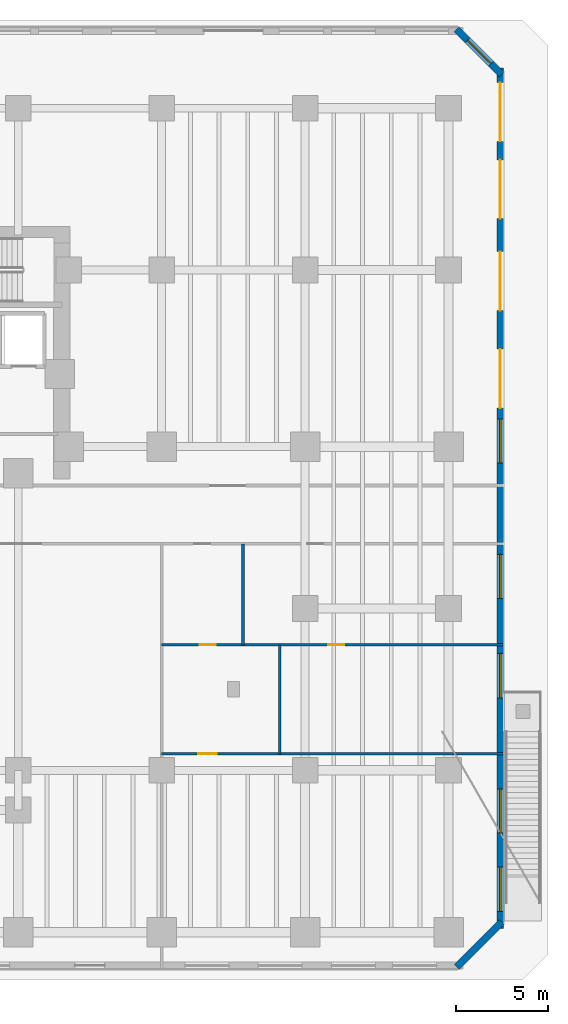
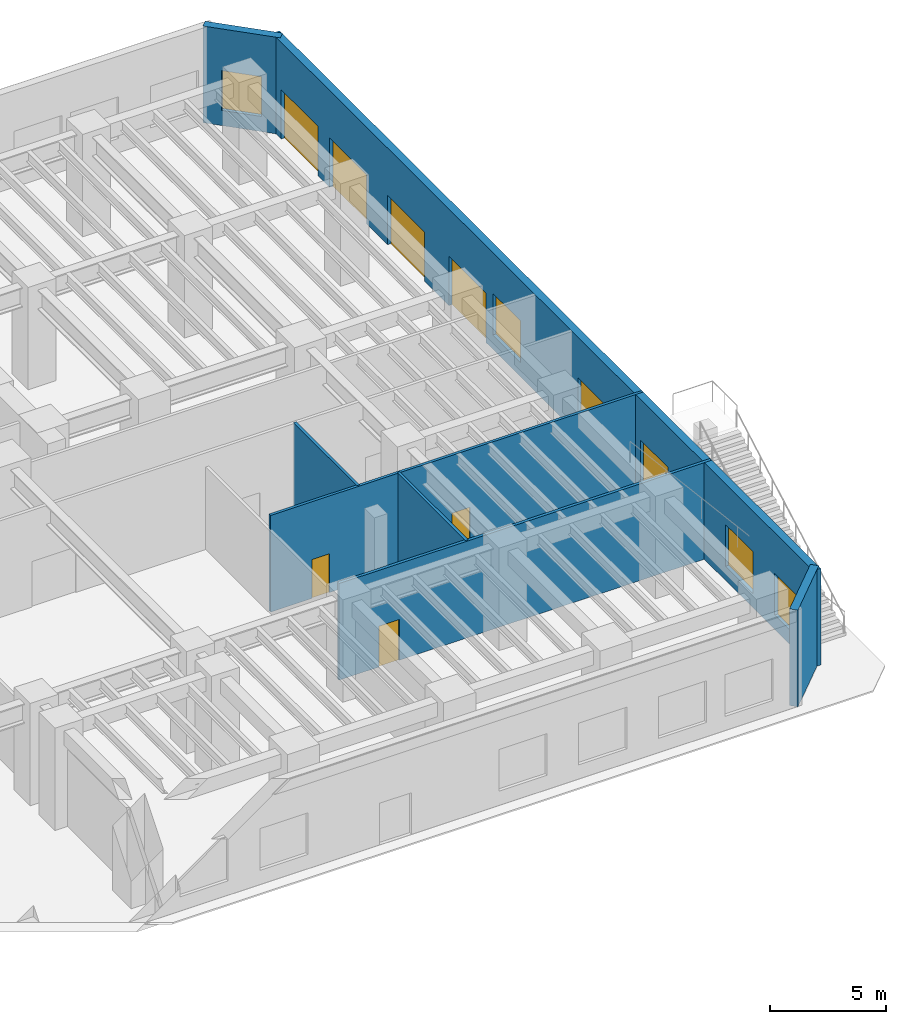
# One storey, part 11 of 17: 7 doors, 7 walls, 6 windows, 13 openings.
"""IFC4 building model written with IfcOpenShell, lengths in metres."""

import ifcopenshell
import ifcopenshell.guid

model = None  # the IFC model being written
_history = None  # IfcOwnerHistory: only IFC2X3 demands one
_inside = {}  # id of a spatial element -> (the spatial element, [elements in it])
_under = {}  # id of a project, library or spatial element -> (it, [spatial elements below it])
_declared = {}  # id of a project -> (the project, [libraries it declares])
_typed = {}  # id of a type object -> (the type object, [elements of that type])
_made_of = {}  # id of a material, layer set ... -> (it, [elements and type objects made of it])


def new_model(schema):
    """Start an empty IFC model of exactly this schema.

    Asked for "IFC4X3", IfcOpenShell would pick the latest addendum, in which some entities
    have other attributes; the version numbers below select the first issue.
    IFC2X3 requires an IfcOwnerHistory on every rooted entity: one is made here for all.
    """
    global model, _history
    if schema == "IFC4X3":
        model = ifcopenshell.file(schema_version=(4, 3, 0, 0))
    else:
        model = ifcopenshell.file(schema=schema)
    _inside.clear()
    _under.clear()
    _declared.clear()
    _typed.clear()
    _made_of.clear()
    _history = None
    if model.schema == "IFC2X3":
        org = make("IfcOrganization", Name="unknown")
        user = make(
            "IfcPersonAndOrganization",
            ThePerson=make("IfcPerson", FamilyName="unknown"),
            TheOrganization=org,
        )
        app = make(
            "IfcApplication",
            ApplicationDeveloper=org,
            Version="unknown",
            ApplicationFullName="unknown",
            ApplicationIdentifier="unknown",
        )
        _history = make(
            "IfcOwnerHistory",
            OwningUser=user,
            OwningApplication=app,
            ChangeAction="ADDED",
            CreationDate=0,
        )
    return model


def make(cls, **values):
    """One entity of the class cls with the attributes given. An attribute that is None is left unset."""
    return model.create_entity(
        cls, **{name: value for name, value in values.items() if value is not None}
    )


def rooted(cls, **values):
    """An entity with a GlobalId (a new one), such as an element, a storey or a relation."""
    return make(cls, GlobalId=ifcopenshell.guid.new(), OwnerHistory=_history, **values)


def si_unit(unit_type, name, prefix=None):
    """IfcSIUnit, for example si_unit("LENGTHUNIT", "METRE", prefix="MILLI")."""
    return make("IfcSIUnit", UnitType=unit_type, Prefix=prefix, Name=name)


def assignment(units):
    """IfcUnitAssignment: the units of a project."""
    return None if units is None else make("IfcUnitAssignment", Units=units)


def point(xyz):
    """IfcCartesianPoint."""
    return None if xyz is None else make("IfcCartesianPoint", Coordinates=xyz)


def direction(xyz):
    """IfcDirection."""
    return None if xyz is None else make("IfcDirection", DirectionRatios=xyz)


def frame(location, z_axis=None, x_axis=None):
    """IfcAxis2Placement3D, a coordinate frame: its origin and axes. An axis left out is left unset."""
    return make(
        "IfcAxis2Placement3D",
        Location=point(location),
        Axis=direction(z_axis),
        RefDirection=direction(x_axis),
    )


def frame_2d(location, x_axis=None):
    """IfcAxis2Placement2D, a coordinate frame in the plane: its origin and x axis."""
    return make(
        "IfcAxis2Placement2D", Location=point(location), RefDirection=direction(x_axis)
    )


def origin():
    """The frame at (0, 0, 0) with its axes left unset."""
    return frame((0.0, 0.0, 0.0))


def place(relative_to, where):
    """IfcLocalPlacement: puts the frame where relative to a parent placement (None: the world)."""
    return make(
        "IfcLocalPlacement", PlacementRelTo=relative_to, RelativePlacement=where
    )


def context(
    kind, dimensions, precision=None, world=None, true_north=None, identifier=None
):
    """IfcGeometricRepresentationContext, for example the 3D "Model" context."""
    return make(
        "IfcGeometricRepresentationContext",
        ContextIdentifier=identifier,
        ContextType=kind,
        CoordinateSpaceDimension=dimensions,
        Precision=precision,
        WorldCoordinateSystem=world,
        TrueNorth=true_north,
    )


def subcontext(parent, identifier, kind, view, scale=None):
    """IfcGeometricRepresentationSubContext, for example "Body" below "Model"."""
    return make(
        "IfcGeometricRepresentationSubContext",
        ContextIdentifier=identifier,
        ContextType=kind,
        ParentContext=parent,
        TargetScale=scale,
        TargetView=view,
    )


def project(units=None, contexts=None):
    """IfcProject with its units and contexts."""
    return rooted(
        "IfcProject",
        Name="project",
        RepresentationContexts=contexts,
        UnitsInContext=assignment(units),
    )


def spatial(cls, under=None, at=None, **own):
    """A site, building, storey or space (cls), placed at a placement, below another one or the project."""
    s = rooted(cls, ObjectPlacement=at, **own)
    if under is not None:
        _under.setdefault(under.id(), (under, []))[1].append(s)
    return s


def profile(cls, at=None, kind="AREA", **sizes):
    """A parametric profile (cls). Its sizes go by their IFC names, for example OverallWidth=200.0."""
    return make(cls, ProfileType=kind, Position=at, **sizes)


def rectangle(**sizes):
    """IfcRectangleProfileDef."""
    return profile("IfcRectangleProfileDef", **sizes)


def extrude(swept, where, along, depth):
    """IfcExtrudedAreaSolid: the profile swept, set in the frame where, extruded along a direction by depth."""
    return make(
        "IfcExtrudedAreaSolid",
        SweptArea=swept,
        Position=where,
        ExtrudedDirection=direction(along),
        Depth=depth,
    )


def shape(context_of_items, identifier, shape_type, items):
    """IfcShapeRepresentation: the items that make up one representation, for example the "Body"."""
    return make(
        "IfcShapeRepresentation",
        ContextOfItems=context_of_items,
        RepresentationIdentifier=identifier,
        RepresentationType=shape_type,
        Items=items,
    )


def material(Name=None, Category=None):
    """IfcMaterial."""
    return make("IfcMaterial", Name=Name, Category=Category)


def layer(
    of_material, thickness, ventilated=None, Name=None, Category=None, Priority=None
):
    """IfcMaterialLayer: one layer of a wall or slab, of a material (None: an air gap)."""
    return make(
        "IfcMaterialLayer",
        Material=of_material,
        LayerThickness=thickness,
        IsVentilated=ventilated,
        Name=Name,
        Category=Category,
        Priority=Priority,
    )


def layer_set(layers, Name=None):
    """IfcMaterialLayerSet."""
    return make("IfcMaterialLayerSet", MaterialLayers=layers, LayerSetName=Name)


def made_of(thing, what):
    """Note that an element or type object is made of a material, layer set ...; save() writes the relation."""
    if what is not None:
        _made_of.setdefault(what.id(), (what, []))[1].append(thing)
    return thing


def type_object(cls, material=None, **own):
    """A type object (cls), such as IfcWallType, which elements share."""
    return made_of(rooted(cls, **own), material)


def element(
    cls,
    number,
    at=None,
    inside=None,
    cuts=None,
    type_object=None,
    material=None,
    context=None,
    identifier="Body",
    shape_type=None,
    held_by="IfcProductDefinitionShape",
    body=None,
    shapes=None,
    **own,
):
    """One element of the class cls, such as IfcWall. Its Tag is "e" and its number.

    at: its placement. inside: the storey or other place that contains it. cuts: it is an
    opening in that element (IfcRelVoidsElement). A single representation is given by context,
    identifier, shape_type and body (its items); several are given by shapes. held_by: the class
    of the entity that holds the representations. save() writes the other relations.
    """
    e = rooted(cls, Tag="e%d" % number, ObjectPlacement=at, **own)
    if body is not None:
        shapes = [shape(context, identifier, shape_type, body)]
    if shapes is not None:
        e.Representation = make(held_by, Representations=shapes)
    if inside is not None:
        _inside.setdefault(inside.id(), (inside, []))[1].append(e)
    if cuts is not None:
        rooted(
            "IfcRelVoidsElement", RelatingBuildingElement=cuts, RelatedOpeningElement=e
        )
    if type_object is not None:
        _typed.setdefault(type_object.id(), (type_object, []))[1].append(e)
    return made_of(e, material)


def fill(opening, filler):
    """IfcRelFillsElement: the door or window that sits in an opening."""
    return rooted(
        "IfcRelFillsElement",
        RelatingOpeningElement=opening,
        RelatedBuildingElement=filler,
    )


def aggregate(whole, parts):
    """IfcRelAggregates: a whole, such as a stair, and the parts it consists of."""
    return rooted("IfcRelAggregates", RelatingObject=whole, RelatedObjects=parts)


def save(model, path):
    """Write the relations noted so far, then the file.

    IfcRelAggregates (storeys below a building ...), IfcRelContainedInSpatialStructure (elements
    in a storey), IfcRelDefinesByType, IfcRelAssociatesMaterial and IfcRelDeclares: one each for
    every whole, place, type object, material and project.
    """
    for whole, parts in _under.values():
        aggregate(whole, parts)
    for where, things in _inside.values():
        rooted(
            "IfcRelContainedInSpatialStructure",
            RelatedElements=things,
            RelatingStructure=where,
        )
    for kind, things in _typed.values():
        rooted("IfcRelDefinesByType", RelatedObjects=things, RelatingType=kind)
    for what, things in _made_of.values():
        rooted("IfcRelAssociatesMaterial", RelatedObjects=things, RelatingMaterial=what)
    for by, libraries in _declared.values():
        rooted("IfcRelDeclares", RelatingContext=by, RelatedDefinitions=libraries)
    model.write(path)


model = new_model("IFC4")

# Units and contexts
model_context = context("Model", 3, precision=1e-05, world=origin(), true_north=direction((0.0, 1.0)))
body_context = subcontext(model_context, "Body", "Model", "MODEL_VIEW")
ifc_project = project(units=[si_unit("LENGTHUNIT", "METRE"), si_unit("AREAUNIT", "SQUARE_METRE"), si_unit("VOLUMEUNIT", "CUBIC_METRE"), si_unit("PLANEANGLEUNIT", "RADIAN"), si_unit("MASSUNIT", "GRAM", prefix="KILO")], contexts=[model_context])

# Site, building, storey
site_placement = place(None, origin())
site = spatial("IfcSite", under=ifc_project, at=site_placement, CompositionType="ELEMENT")
building_placement = place(site_placement, origin())
building = spatial("IfcBuilding", under=site, at=building_placement, Name="Kestravale Grand Hotel", CompositionType="ELEMENT")
storey_placement = place(building_placement, origin())
storey = spatial("IfcBuildingStorey", under=building, at=storey_placement, Name="L00", CompositionType="ELEMENT", Elevation=0.0)

# Wall
ifc_material_1 = material(Name="Precast concrete f'c 45 MPa", Category="concrete")
ifc_layer_1 = layer(ifc_material_1, 0.3798828125)
ifc_layer_set_1 = layer_set([ifc_layer_1], Name="EW-POD-380")
wall_type_1 = type_object("IfcWallType", Name="EW-POD-380", PredefinedType="SOLIDWALL", material=ifc_layer_set_1)
wall_1_placement = place(storey_placement, frame((80.893798828125, 2.962646484375, 0.0), z_axis=(0.0, 0.0, 1.0), x_axis=(-0.707071641081, -0.707141919546, 0.0)))
element("IfcWall", 1, at=wall_1_placement, inside=storey, type_object=wall_type_1, Name="L00 fluted precast facade wall 2", PredefinedType="SOLIDWALL", context=body_context, shape_type="SweptSolid", body=[
    extrude(rectangle(XDim=3.473876953125, YDim=0.3798828125, at=frame_2d((1.73681640625, 0.0))), origin(), (0.0, 0.0, 1.0), 5.10009765625),
])

# Wall, openings, doors, windows
wall_2_placement = place(storey_placement, frame((80.81005859375, 49.389892578125, 0.0), z_axis=(0.0, 0.0, 1.0), x_axis=(0.0, -1.0, 0.0)))
wall_2 = element("IfcWall", 2, at=wall_2_placement, inside=storey, type_object=wall_type_1, Name="L00 fluted precast facade wall 3", PredefinedType="SOLIDWALL", context=body_context, shape_type="SweptSolid", body=[
    extrude(rectangle(XDim=46.77978515625, YDim=0.3798828125, at=frame_2d((23.389892578125, 0.0))), origin(), (0.0, 0.0, 1.0), 5.10009765625),
])
opening_1_placement = place(wall_2_placement, frame((15.2900390625, 0.0, 0.0)))
opening_1 = element("IfcOpeningElement", 3, at=opening_1_placement, cuts=wall_2, Name="Opening D-GATE-3200", PredefinedType="OPENING", context=body_context, shape_type="SweptSolid", body=[
    extrude(rectangle(XDim=3.199951171875, YDim=2.60009765625, at=frame_2d((1.60009765625, 1.300048828125))), frame((0.0, 0.199951171875, 0.0), z_axis=(0.0, -1.0, 0.0), x_axis=(1.0, 0.0, 0.0)), (0.0, 0.0, 1.0), 0.39990234375),
])
opening_2_placement = place(wall_2_placement, frame((9.989990234375, 0.0, 0.0)))
opening_2 = element("IfcOpeningElement", 4, at=opening_2_placement, cuts=wall_2, Name="Opening D-GATE-3200", PredefinedType="OPENING", context=body_context, shape_type="SweptSolid", body=[
    extrude(rectangle(XDim=3.199951171875, YDim=2.60009765625, at=frame_2d((1.60009765625, 1.300048828125))), frame((0.0, 0.199951171875, 0.0), z_axis=(0.0, -1.0, 0.0), x_axis=(1.0, 0.0, 0.0)), (0.0, 0.0, 1.0), 0.39990234375),
])
opening_3_placement = place(wall_2_placement, frame((4.989990234375, 0.0, 0.0)))
opening_3 = element("IfcOpeningElement", 5, at=opening_3_placement, cuts=wall_2, Name="Opening D-GATE-3200", PredefinedType="OPENING", context=body_context, shape_type="SweptSolid", body=[
    extrude(rectangle(XDim=3.199951171875, YDim=2.60009765625, at=frame_2d((1.60009765625, 1.300048828125))), frame((0.0, 0.199951171875, 0.0), z_axis=(0.0, -1.0, 0.0), x_axis=(1.0, 0.0, 0.0)), (0.0, 0.0, 1.0), 0.39990234375),
])
opening_4_placement = place(wall_2_placement, frame((0.7900390625, 0.0, 0.0)))
opening_4 = element("IfcOpeningElement", 6, at=opening_4_placement, cuts=wall_2, Name="Opening D-GATE-3200", PredefinedType="OPENING", context=body_context, shape_type="SweptSolid", body=[
    extrude(rectangle(XDim=3.199951171875, YDim=2.60009765625, at=frame_2d((1.60009765625, 1.300048828125))), frame((0.0, 0.199951171875, 0.0), z_axis=(0.0, -1.0, 0.0), x_axis=(1.0, 0.0, 0.0)), (0.0, 0.0, 1.0), 0.39990234375),
])
opening_5_placement = place(wall_2_placement, frame((19.08740234375, 0.0, 0.75)))
opening_5 = element("IfcOpeningElement", 7, at=opening_5_placement, cuts=wall_2, Name="Opening W-POD-2400", PredefinedType="OPENING", context=body_context, shape_type="SweptSolid", body=[
    extrude(rectangle(XDim=2.39990234375, YDim=2.199951171875, at=frame_2d((1.199951171875, 1.10009765625))), frame((0.0, 0.199951171875, 0.0), z_axis=(0.0, -1.0, 0.0), x_axis=(1.0, 0.0, 0.0)), (0.0, 0.0, 1.0), 0.39990234375),
])
opening_6_placement = place(wall_2_placement, frame((26.442626953125, 0.0, 0.75)))
opening_6 = element("IfcOpeningElement", 8, at=opening_6_placement, cuts=wall_2, Name="Opening W-POD-2400", PredefinedType="OPENING", context=body_context, shape_type="SweptSolid", body=[
    extrude(rectangle(XDim=2.39990234375, YDim=2.199951171875, at=frame_2d((1.199951171875, 1.10009765625))), frame((0.0, 0.199951171875, 0.0), z_axis=(0.0, -1.0, 0.0), x_axis=(1.0, 0.0, 0.0)), (0.0, 0.0, 1.0), 0.39990234375),
])
opening_7_placement = place(wall_2_placement, frame((31.845458984375, 0.0, 0.75)))
opening_7 = element("IfcOpeningElement", 9, at=opening_7_placement, cuts=wall_2, Name="Opening W-POD-2400", PredefinedType="OPENING", context=body_context, shape_type="SweptSolid", body=[
    extrude(rectangle(XDim=2.39990234375, YDim=2.199951171875, at=frame_2d((1.199951171875, 1.10009765625))), frame((0.0, 0.199951171875, 0.0), z_axis=(0.0, -1.0, 0.0), x_axis=(1.0, 0.0, 0.0)), (0.0, 0.0, 1.0), 0.39990234375),
])
opening_8_placement = place(wall_2_placement, frame((39.200927734375, 0.0, 0.75)))
opening_8 = element("IfcOpeningElement", 10, at=opening_8_placement, cuts=wall_2, Name="Opening W-POD-2400", PredefinedType="OPENING", context=body_context, shape_type="SweptSolid", body=[
    extrude(rectangle(XDim=2.39990234375, YDim=2.199951171875, at=frame_2d((1.199951171875, 1.10009765625))), frame((0.0, 0.199951171875, 0.0), z_axis=(0.0, -1.0, 0.0), x_axis=(1.0, 0.0, 0.0)), (0.0, 0.0, 1.0), 0.39990234375),
])
opening_9_placement = place(wall_2_placement, frame((43.45361328125, 0.0, 0.75)))
opening_9 = element("IfcOpeningElement", 11, at=opening_9_placement, cuts=wall_2, Name="Opening W-POD-2400", PredefinedType="OPENING", context=body_context, shape_type="SweptSolid", body=[
    extrude(rectangle(XDim=2.39990234375, YDim=2.199951171875, at=frame_2d((1.199951171875, 1.10009765625))), frame((0.0, 0.199951171875, 0.0), z_axis=(0.0, -1.0, 0.0), x_axis=(1.0, 0.0, 0.0)), (0.0, 0.0, 1.0), 0.39990234375),
])
ifc_material_2 = material(Name="Galvanised insulated hollow steel door", Category="steel")
door_type_1 = type_object("IfcDoorType", Name="D-GATE-3200", OperationType="NOTDEFINED", PredefinedType="GATE", material=ifc_material_2)
door_1_placement = place(opening_1_placement, origin())
door_1 = element("IfcDoor", 12, at=door_1_placement, inside=storey, type_object=door_type_1, Name="Service Loading Bay Gate 2", OperationType="DOUBLE_DOOR_FOLDING", OverallHeight=2.60009765625, OverallWidth=3.199951171875, PredefinedType="GATE", context=body_context, shape_type="SweptSolid", body=[
    extrude(rectangle(XDim=3.199951171875, YDim=2.60009765625, at=frame_2d((1.60009765625, 1.300048828125))), frame((0.0, 0.02490234375, 0.0), z_axis=(0.0, -1.0, 0.0), x_axis=(1.0, 0.0, 0.0)), (0.0, 0.0, 1.0), 0.050048828125),
])
fill(opening_1, door_1)
door_2_placement = place(opening_2_placement, origin())
door_2 = element("IfcDoor", 13, at=door_2_placement, inside=storey, type_object=door_type_1, Name="Service Loading Bay Gate 3", OperationType="DOUBLE_DOOR_FOLDING", OverallHeight=2.60009765625, OverallWidth=3.199951171875, PredefinedType="GATE", context=body_context, shape_type="SweptSolid", body=[
    extrude(rectangle(XDim=3.199951171875, YDim=2.60009765625, at=frame_2d((1.60009765625, 1.300048828125))), frame((0.0, 0.02490234375, 0.0), z_axis=(0.0, -1.0, 0.0), x_axis=(1.0, 0.0, 0.0)), (0.0, 0.0, 1.0), 0.050048828125),
])
fill(opening_2, door_2)
door_3_placement = place(opening_3_placement, origin())
door_3 = element("IfcDoor", 14, at=door_3_placement, inside=storey, type_object=door_type_1, Name="Service Loading Bay Gate 4", OperationType="DOUBLE_DOOR_FOLDING", OverallHeight=2.60009765625, OverallWidth=3.199951171875, PredefinedType="GATE", context=body_context, shape_type="SweptSolid", body=[
    extrude(rectangle(XDim=3.199951171875, YDim=2.60009765625, at=frame_2d((1.60009765625, 1.300048828125))), frame((0.0, 0.02490234375, 0.0), z_axis=(0.0, -1.0, 0.0), x_axis=(1.0, 0.0, 0.0)), (0.0, 0.0, 1.0), 0.050048828125),
])
fill(opening_3, door_3)
door_4_placement = place(opening_4_placement, origin())
door_4 = element("IfcDoor", 15, at=door_4_placement, inside=storey, type_object=door_type_1, Name="Service Loading Bay Gate 5", OperationType="DOUBLE_DOOR_FOLDING", OverallHeight=2.60009765625, OverallWidth=3.199951171875, PredefinedType="GATE", context=body_context, shape_type="SweptSolid", body=[
    extrude(rectangle(XDim=3.199951171875, YDim=2.60009765625, at=frame_2d((1.60009765625, 1.300048828125))), frame((0.0, 0.02490234375, 0.0), z_axis=(0.0, -1.0, 0.0), x_axis=(1.0, 0.0, 0.0)), (0.0, 0.0, 1.0), 0.050048828125),
])
fill(opening_4, door_4)
ifc_material_3 = material(Name="Insulated low-E double glazing in aluminium frame", Category="aluminium")
window_type_1 = type_object("IfcWindowType", Name="W-POD-2400", PartitioningType="DOUBLE_PANEL_VERTICAL", PredefinedType="WINDOW", material=ifc_material_3)
window_1_placement = place(opening_5_placement, origin())
window_1 = element("IfcWindow", 16, at=window_1_placement, inside=storey, type_object=window_type_1, Name="L00 exterior window 3.1", OverallHeight=2.199951171875, OverallWidth=2.39990234375, PartitioningType="SINGLE_PANEL", PredefinedType="WINDOW", context=body_context, shape_type="SweptSolid", body=[
    extrude(rectangle(XDim=2.39990234375, YDim=2.199951171875, at=frame_2d((1.199951171875, 1.10009765625))), frame((0.0, 0.030029296875, 0.0), z_axis=(0.0, -1.0, 0.0), x_axis=(1.0, 0.0, 0.0)), (0.0, 0.0, 1.0), 0.06005859375),
])
fill(opening_5, window_1)
window_2_placement = place(opening_6_placement, origin())
window_2 = element("IfcWindow", 17, at=window_2_placement, inside=storey, type_object=window_type_1, Name="L00 exterior window 3.2", OverallHeight=2.199951171875, OverallWidth=2.39990234375, PartitioningType="SINGLE_PANEL", PredefinedType="WINDOW", context=body_context, shape_type="SweptSolid", body=[
    extrude(rectangle(XDim=2.39990234375, YDim=2.199951171875, at=frame_2d((1.199951171875, 1.10009765625))), frame((0.0, 0.030029296875, 0.0), z_axis=(0.0, -1.0, 0.0), x_axis=(1.0, 0.0, 0.0)), (0.0, 0.0, 1.0), 0.06005859375),
])
fill(opening_6, window_2)
window_3_placement = place(opening_7_placement, origin())
window_3 = element("IfcWindow", 18, at=window_3_placement, inside=storey, type_object=window_type_1, Name="L00 exterior window 3.3", OverallHeight=2.199951171875, OverallWidth=2.39990234375, PartitioningType="SINGLE_PANEL", PredefinedType="WINDOW", context=body_context, shape_type="SweptSolid", body=[
    extrude(rectangle(XDim=2.39990234375, YDim=2.199951171875, at=frame_2d((1.199951171875, 1.10009765625))), frame((0.0, 0.030029296875, 0.0), z_axis=(0.0, -1.0, 0.0), x_axis=(1.0, 0.0, 0.0)), (0.0, 0.0, 1.0), 0.06005859375),
])
fill(opening_7, window_3)
window_4_placement = place(opening_8_placement, origin())
window_4 = element("IfcWindow", 19, at=window_4_placement, inside=storey, type_object=window_type_1, Name="L00 exterior window 3.4", OverallHeight=2.199951171875, OverallWidth=2.39990234375, PartitioningType="SINGLE_PANEL", PredefinedType="WINDOW", context=body_context, shape_type="SweptSolid", body=[
    extrude(rectangle(XDim=2.39990234375, YDim=2.199951171875, at=frame_2d((1.199951171875, 1.10009765625))), frame((0.0, 0.030029296875, 0.0), z_axis=(0.0, -1.0, 0.0), x_axis=(1.0, 0.0, 0.0)), (0.0, 0.0, 1.0), 0.06005859375),
])
fill(opening_8, window_4)
window_5_placement = place(opening_9_placement, origin())
window_5 = element("IfcWindow", 20, at=window_5_placement, inside=storey, type_object=window_type_1, Name="L00 exterior window 3.5", OverallHeight=2.199951171875, OverallWidth=2.39990234375, PartitioningType="SINGLE_PANEL", PredefinedType="WINDOW", context=body_context, shape_type="SweptSolid", body=[
    extrude(rectangle(XDim=2.39990234375, YDim=2.199951171875, at=frame_2d((1.199951171875, 1.10009765625))), frame((0.0, 0.030029296875, 0.0), z_axis=(0.0, -1.0, 0.0), x_axis=(1.0, 0.0, 0.0)), (0.0, 0.0, 1.0), 0.06005859375),
])
fill(opening_9, window_5)

# Wall, opening, window
wall_3_placement = place(storey_placement, frame((78.4375, 51.493896484375, 0.0), z_axis=(0.0, 0.0, 1.0), x_axis=(0.707071641081, -0.707141919546, 0.0)))
wall_3 = element("IfcWall", 21, at=wall_3_placement, inside=storey, type_object=wall_type_1, Name="L00 fluted precast facade wall 4", PredefinedType="SOLIDWALL", context=body_context, shape_type="SweptSolid", body=[
    extrude(rectangle(XDim=3.473876953125, YDim=0.3798828125, at=frame_2d((1.73681640625, 0.0))), origin(), (0.0, 0.0, 1.0), 5.10009765625),
])
opening_10_placement = place(wall_3_placement, frame((0.8369140625, 0.0, 0.800048828125)))
opening_10 = element("IfcOpeningElement", 22, at=opening_10_placement, cuts=wall_3, Name="Opening W-POD-1800", PredefinedType="OPENING", context=body_context, shape_type="SweptSolid", body=[
    extrude(rectangle(XDim=1.800048828125, YDim=2.10009765625, at=frame_2d((0.89990234375, 1.050048828125))), frame((0.0, 0.199951171875, 0.0), z_axis=(0.0, -1.0, 0.0), x_axis=(1.0, 0.0, 0.0)), (0.0, 0.0, 1.0), 0.39990234375),
])
ifc_material_4 = material(Name="Insulated low-E double glazing in aluminium frame", Category="aluminium")
window_type_2 = type_object("IfcWindowType", Name="W-POD-1800", PartitioningType="DOUBLE_PANEL_VERTICAL", PredefinedType="WINDOW", material=ifc_material_4)
window_6_placement = place(opening_10_placement, origin())
window_6 = element("IfcWindow", 23, at=window_6_placement, inside=storey, type_object=window_type_2, Name="L00 exterior window 4.1", OverallHeight=2.10009765625, OverallWidth=1.800048828125, PartitioningType="SINGLE_PANEL", PredefinedType="WINDOW", context=body_context, shape_type="SweptSolid", body=[
    extrude(rectangle(XDim=1.800048828125, YDim=2.10009765625, at=frame_2d((0.89990234375, 1.050048828125))), frame((0.0, 0.030029296875, 0.0), z_axis=(0.0, -1.0, 0.0), x_axis=(1.0, 0.0, 0.0)), (0.0, 0.0, 1.0), 0.06005859375),
])
fill(opening_10, window_6)

# Wall, openings, doors
ifc_material_5 = material(Name="Moisture-resistant tile-backer plumbing chase wall", Category="other")
ifc_layer_2 = layer(ifc_material_5, 0.139892578125)
ifc_layer_set_2 = layer_set([ifc_layer_2], Name="IW-PLB-140")
wall_type_2 = type_object("IfcWallType", Name="IW-PLB-140", PredefinedType="PLUMBINGWALL", material=ifc_layer_set_2)
wall_4_placement = place(storey_placement, frame((62.39990234375, 18.02001953125, 0.0), z_axis=(0.0, 0.0, 1.0), x_axis=(1.0, 0.0, 0.0)))
wall_4 = element("IfcWall", 24, at=wall_4_placement, inside=storey, type_object=wall_type_2, Name="W-L00-WCH", PredefinedType="PLUMBINGWALL", context=body_context, shape_type="SweptSolid", body=[
    extrude(rectangle(XDim=18.580078125, YDim=0.139892578125, at=frame_2d((9.2900390625, 0.0))), origin(), (0.0, 0.0, 1.0), 5.10009765625),
])
opening_11_placement = place(wall_4_placement, frame((2.06005859375, 0.0, 0.0)))
opening_11 = element("IfcOpeningElement", 25, at=opening_11_placement, cuts=wall_4, Name="Opening D-BATH-880", PredefinedType="OPENING", context=body_context, shape_type="SweptSolid", body=[
    extrude(rectangle(XDim=0.8798828125, YDim=2.050048828125, at=frame_2d((0.43994140625, 1.02490234375))), frame((0.0, 0.079833984375, 0.0), z_axis=(0.0, -1.0, 0.0), x_axis=(1.0, 0.0, 0.0)), (0.0, 0.0, 1.0), 0.159912109375),
])
opening_12_placement = place(wall_4_placement, frame((9.06005859375, 0.0, 0.0)))
opening_12 = element("IfcOpeningElement", 26, at=opening_12_placement, cuts=wall_4, Name="Opening D-BATH-880", PredefinedType="OPENING", context=body_context, shape_type="SweptSolid", body=[
    extrude(rectangle(XDim=0.8798828125, YDim=2.050048828125, at=frame_2d((0.43994140625, 1.02490234375))), frame((0.0, 0.079833984375, 0.0), z_axis=(0.0, -1.0, 0.0), x_axis=(1.0, 0.0, 0.0)), (0.0, 0.0, 1.0), 0.159912109375),
])
ifc_material_6 = material(Name="Moisture-sealed walnut en-suite bathroom door", Category="wood")
door_type_2 = type_object("IfcDoorType", Name="D-BATH-880", OperationType="NOTDEFINED", PredefinedType="DOOR", material=ifc_material_6)
door_5_placement = place(opening_11_placement, origin())
door_5 = element("IfcDoor", 27, at=door_5_placement, inside=storey, type_object=door_type_2, Name="D-L00-WCM", OperationType="SINGLE_SWING_LEFT", OverallHeight=2.050048828125, OverallWidth=0.8798828125, PredefinedType="DOOR", context=body_context, shape_type="SweptSolid", body=[
    extrude(rectangle(XDim=0.8798828125, YDim=2.050048828125, at=frame_2d((0.43994140625, 1.02490234375))), frame((0.0, 0.02490234375, 0.0), z_axis=(0.0, -1.0, 0.0), x_axis=(1.0, 0.0, 0.0)), (0.0, 0.0, 1.0), 0.050048828125),
])
fill(opening_11, door_5)
door_6_placement = place(opening_12_placement, origin())
door_6 = element("IfcDoor", 28, at=door_6_placement, inside=storey, type_object=door_type_2, Name="D-L00-WCF", OperationType="SINGLE_SWING_RIGHT", OverallHeight=2.050048828125, OverallWidth=0.8798828125, PredefinedType="DOOR", context=body_context, shape_type="SweptSolid", body=[
    extrude(rectangle(XDim=0.8798828125, YDim=2.050048828125, at=frame_2d((0.43994140625, 1.02490234375))), frame((0.0, 0.02490234375, 0.0), z_axis=(0.0, -1.0, 0.0), x_axis=(1.0, 0.0, 0.0)), (0.0, 0.0, 1.0), 0.050048828125),
])
fill(opening_12, door_6)

# Walls
wall_5_placement = place(storey_placement, frame((66.820068359375, 18.02001953125, 0.0), z_axis=(0.0, 0.0, 1.0), x_axis=(0.0, 1.0, 0.0)))
element("IfcWall", 29, at=wall_5_placement, inside=storey, type_object=wall_type_2, Name="W-L00-WCAV", PredefinedType="PLUMBINGWALL", context=body_context, shape_type="SweptSolid", body=[
    extrude(rectangle(XDim=5.5, YDim=0.139892578125, at=frame_2d((2.75, 0.0))), origin(), (0.0, 0.0, 1.0), 5.10009765625),
])
wall_6_placement = place(storey_placement, frame((68.820068359375, 12.10009765625, 0.0), z_axis=(0.0, 0.0, 1.0), x_axis=(0.0, 1.0, 0.0)))
element("IfcWall", 30, at=wall_6_placement, inside=storey, type_object=wall_type_2, Name="W-L00-WCV", PredefinedType="PLUMBINGWALL", context=body_context, shape_type="SweptSolid", body=[
    extrude(rectangle(XDim=5.919921875, YDim=0.139892578125, at=frame_2d((2.9599609375, 0.0))), origin(), (0.0, 0.0, 1.0), 5.10009765625),
])

# Wall, opening, door
ifc_material_7 = material(Name="Double-stud STC 52 acoustic demising partition", Category="other")
ifc_layer_3 = layer(ifc_material_7, 0.14990234375)
ifc_layer_set_3 = layer_set([ifc_layer_3], Name="IW-UNIT-150")
wall_type_3 = type_object("IfcWallType", Name="IW-UNIT-150", PredefinedType="PARTITIONING", material=ifc_layer_set_3)
wall_7_placement = place(storey_placement, frame((62.39990234375, 12.10009765625, 0.0), z_axis=(0.0, 0.0, 1.0), x_axis=(1.0, 0.0, 0.0)))
wall_7 = element("IfcWall", 31, at=wall_7_placement, inside=storey, type_object=wall_type_3, Name="W-L00-WCS", PredefinedType="PARTITIONING", context=body_context, shape_type="SweptSolid", body=[
    extrude(rectangle(XDim=18.580078125, YDim=0.14990234375, at=frame_2d((9.2900390625, 0.0))), origin(), (0.0, 0.0, 1.0), 5.10009765625),
])
opening_13_placement = place(wall_7_placement, frame((2.0, 0.0, 0.0)))
opening_13 = element("IfcOpeningElement", 32, at=opening_13_placement, cuts=wall_7, Name="Opening D-GUEST-1000", PredefinedType="OPENING", context=body_context, shape_type="SweptSolid", body=[
    extrude(rectangle(XDim=1.0, YDim=2.14990234375, at=frame_2d((0.5, 1.074951171875))), frame((0.0, 0.0849609375, 0.0), z_axis=(0.0, -1.0, 0.0), x_axis=(1.0, 0.0, 0.0)), (0.0, 0.0, 1.0), 0.169921875),
])
ifc_material_8 = material(Name="Accessible walnut veneer hotel entrance fire door", Category="wood")
door_type_3 = type_object("IfcDoorType", Name="D-GUEST-1000", OperationType="NOTDEFINED", PredefinedType="DOOR", material=ifc_material_8)
door_7_placement = place(opening_13_placement, origin())
door_7 = element("IfcDoor", 33, at=door_7_placement, inside=storey, type_object=door_type_3, Name="D-L00-BOUT", OperationType="SINGLE_SWING_LEFT", OverallHeight=2.14990234375, OverallWidth=1.0, PredefinedType="DOOR", context=body_context, shape_type="SweptSolid", body=[
    extrude(rectangle(XDim=1.0, YDim=2.14990234375, at=frame_2d((0.5, 1.074951171875))), frame((0.0, 0.02490234375, 0.0), z_axis=(0.0, -1.0, 0.0), x_axis=(1.0, 0.0, 0.0)), (0.0, 0.0, 1.0), 0.050048828125),
])
fill(opening_13, door_7)

save(model, "model.ifc")
